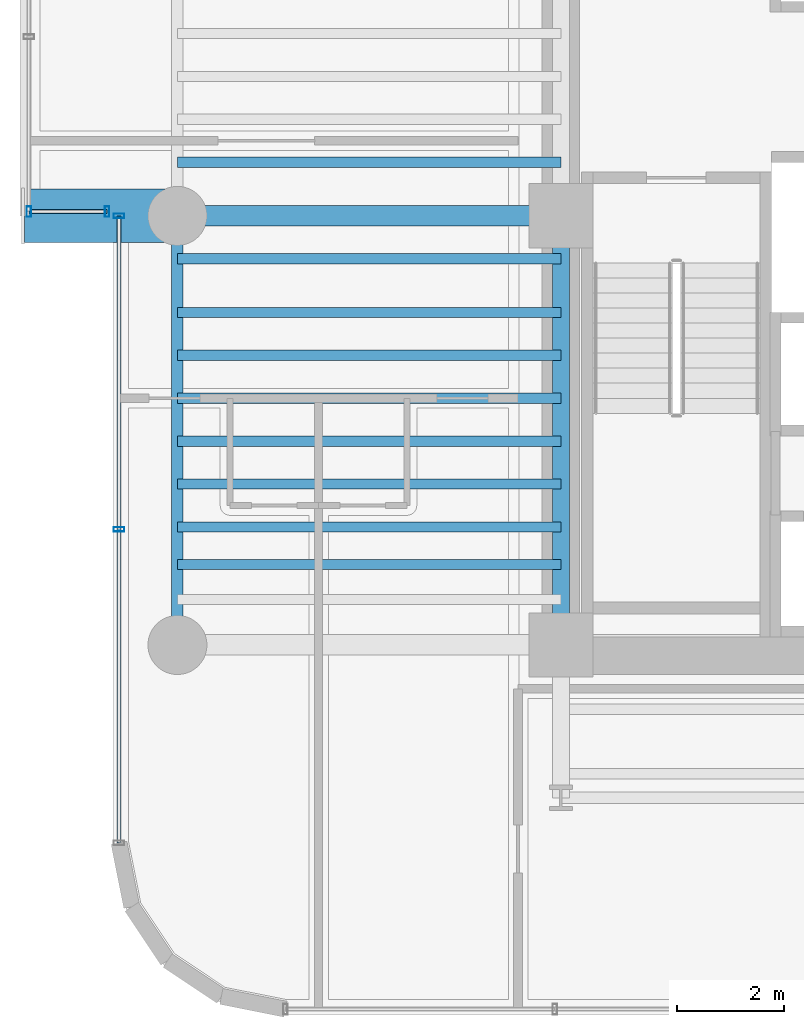
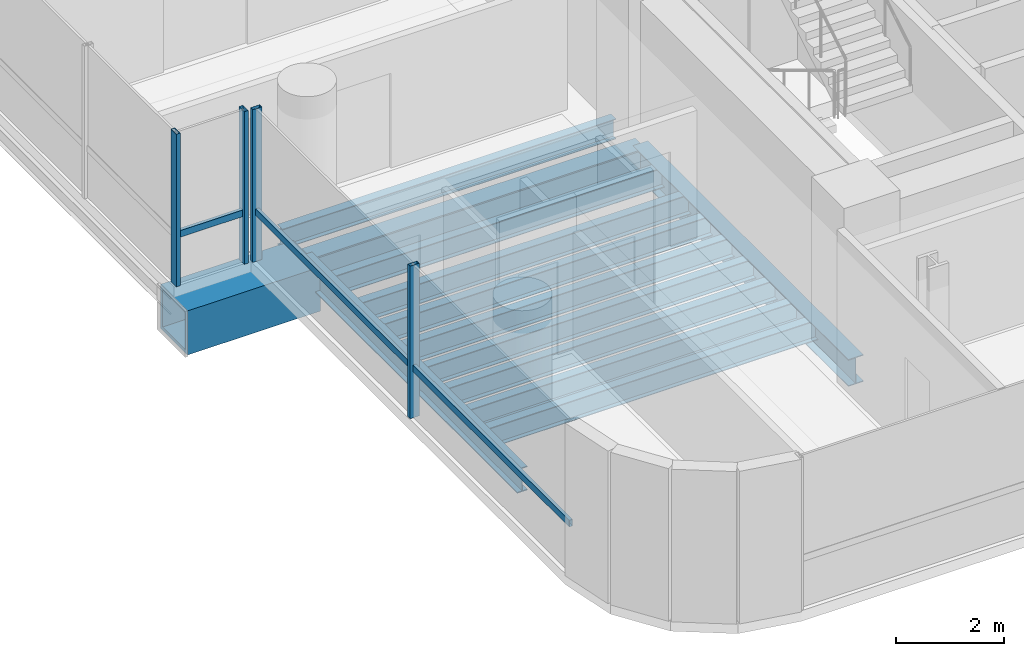
# One storey, part 4 of 35: 13 beams, 6 members, 2 elements without a shape of their own.
"""IFC4 building model written with IfcOpenShell, lengths in metres."""

from ifc_helpers import new_model, si_unit, direction, frame, origin, origin_2d, place, context, subcontext, project, spatial, hollow_rectangle, i_section, extrude, source, transform, mapped, material, material_profile, profile_set, type_object, element, aggregate, save


model = new_model("IFC4")

# Units and contexts
model_context = context("Model", 3, precision=1e-05, world=origin(), true_north=direction((0.0, 1.0)))
body_context = subcontext(model_context, "Body", "Model", "MODEL_VIEW")
ifc_project = project(units=[si_unit("LENGTHUNIT", "METRE"), si_unit("AREAUNIT", "SQUARE_METRE"), si_unit("VOLUMEUNIT", "CUBIC_METRE"), si_unit("PLANEANGLEUNIT", "RADIAN"), si_unit("MASSUNIT", "GRAM", prefix="KILO")], contexts=[model_context])

# Site, building, storey
site_placement = place(None, origin())
site = spatial("IfcSite", under=ifc_project, at=site_placement, CompositionType="ELEMENT")
building_placement = place(site_placement, origin())
building = spatial("IfcBuilding", under=site, at=building_placement, Name="Valdorenza Pilgrim Sanctuary Tower", CompositionType="ELEMENT")
storey_placement = place(building_placement, frame((0.0, 0.0, 139.0)))
storey = spatial("IfcBuildingStorey", under=building, at=storey_placement, Name="L35", CompositionType="ELEMENT", Elevation=139.0)

# Beams
ifc_material_1 = material(Name="Steel ASTM A992 Grade 50", Category="steel")
ifc_material_profile_1 = material_profile(ifc_material_1, i_section(OverallWidth=0.214111328125, OverallDepth=0.549072265625, WebThickness=0.0146484375, FlangeThickness=0.023681640625, at=origin_2d()), Name="W21X93")
ifc_profile_set_1 = profile_set([ifc_material_profile_1], Name="Steel ASTM A992 Grade 50")
beam_type_1 = type_object("IfcBeamType", Name="STR-BM-SPN-W21A", PredefinedType="SPANDREL", material=ifc_profile_set_1)
shared_shape_1 = source(origin(), body_context, "Body", "SweptSolid", [
    extrude(i_section(OverallWidth=0.214111328125, OverallDepth=0.549072265625, WebThickness=0.0146484375, FlangeThickness=0.023681640625, at=origin_2d()), origin(), (0.0, 0.0, 1.0), 8.0),
])
beam_1_placement = place(storey_placement, frame((-29.800048828125, -10.60009765625, -0.514404296875), z_axis=(0.0, 1.0, 0.0), x_axis=(-1.0, 0.0, 0.0)))
element("IfcBeam", 1, at=beam_1_placement, inside=storey, type_object=beam_type_1, Name="L35 Spandrel Beam WA-W-S1M0", PredefinedType="SPANDREL", context=body_context, shape_type="MappedRepresentation", body=[
    mapped(shared_shape_1, transform((0.0, 0.0, 0.0), x_axis=(1.0, 0.0, 0.0), y_axis=(0.0, 1.0, 0.0), z_axis=(0.0, 0.0, 1.0), scale=1.0)),
])
ifc_material_profile_2 = material_profile(ifc_material_1, i_section(OverallWidth=0.323974609375, OverallDepth=0.611083984375, WebThickness=0.0126953125, FlangeThickness=0.01904296875, at=origin_2d()), Name="W24X104")
ifc_profile_set_2 = profile_set([ifc_material_profile_2], Name="Steel ASTM A992 Grade 50")
beam_type_2 = type_object("IfcBeamType", Name="STR-BM-GRD-W24B", PredefinedType="BEAM", material=ifc_profile_set_2)
shared_shape_2 = source(origin(), body_context, "Body", "SweptSolid", [
    extrude(i_section(OverallWidth=0.323974609375, OverallDepth=0.611083984375, WebThickness=0.0126953125, FlangeThickness=0.01904296875, at=origin_2d()), origin(), (0.0, 0.0, 1.0), 8.0),
])
beam_2_placement = place(storey_placement, frame((-22.64990234375, -10.60009765625, -0.54541015625), z_axis=(0.0, 1.0, 0.0), x_axis=(-1.0, 0.0, 0.0)))
element("IfcBeam", 2, at=beam_2_placement, inside=storey, type_object=beam_type_2, Name="L35 Core Tie Girder CA-W-S1M0", PredefinedType="BEAM", context=body_context, shape_type="MappedRepresentation", body=[
    mapped(shared_shape_2, transform((0.0, 0.0, 0.0), x_axis=(1.0, 0.0, 0.0), y_axis=(0.0, 1.0, 0.0), z_axis=(0.0, 0.0, 1.0), scale=1.0)),
])
ifc_material_profile_3 = material_profile(ifc_material_1, i_section(OverallWidth=0.382080078125, OverallDepth=0.779052734375, WebThickness=0.01806640625, FlangeThickness=0.030029296875, at=origin_2d()), Name="W30X191")
ifc_profile_set_3 = profile_set([ifc_material_profile_3], Name="Steel ASTM A992 Grade 50")
beam_type_3 = type_object("IfcBeamType", Name="STR-BM-GRD-W30", PredefinedType="BEAM", material=ifc_profile_set_3)
shared_shape_3 = source(origin(), body_context, "Body", "SweptSolid", [
    extrude(i_section(OverallWidth=0.382080078125, OverallDepth=0.779052734375, WebThickness=0.01806640625, FlangeThickness=0.030029296875, at=origin_2d()), origin(), (0.0, 0.0, 1.0), 7.150146484375),
])
beam_3_placement = place(storey_placement, frame((-29.800048828125, -2.60009765625, -0.62939453125), z_axis=(1.0, 0.0, 0.0), x_axis=(0.0, 1.0, 0.0)))
element("IfcBeam", 3, at=beam_3_placement, inside=storey, type_object=beam_type_3, Name="L35 Floor Girder WA-XW-M0", PredefinedType="BEAM", context=body_context, shape_type="MappedRepresentation", body=[
    mapped(shared_shape_3, transform((0.0, 0.0, 0.0), x_axis=(1.0, 0.0, 0.0), y_axis=(0.0, 1.0, 0.0), z_axis=(0.0, 0.0, 1.0), scale=1.0)),
])
ifc_material_profile_4 = material_profile(ifc_material_1, i_section(OverallWidth=0.19091796875, OverallDepth=0.45703125, WebThickness=0.009033203125, FlangeThickness=0.014404296875, at=origin_2d()), Name="W18X50")
ifc_profile_set_4 = profile_set([ifc_material_profile_4], Name="Steel ASTM A992 Grade 50")
beam_type_4 = type_object("IfcBeamType", Name="STR-BM-JST-W18B", PredefinedType="JOIST", material=ifc_profile_set_4)
shared_shape_4 = source(origin(), body_context, "Body", "SweptSolid", [
    extrude(i_section(OverallWidth=0.19091796875, OverallDepth=0.45703125, WebThickness=0.009033203125, FlangeThickness=0.014404296875, at=origin_2d()), origin(), (0.0, 0.0, 1.0), 7.150146484375),
])
for number, where, z_axis, x_axis, name in (
    (4, (-29.800048828125, -9.10009765625, -0.468505859375), (1.0, 0.0, 0.0), (0.0, 1.0, 0.0), "L35 Composite Floor Joist JST-WA-2"),
    (5, (-29.800048828125, -8.39990234375, -0.468505859375), (1.0, 0.0, 0.0), (0.0, 1.0, 0.0), "L35 Composite Floor Joist JST-WA-3"),
    (6, (-29.800048828125, -7.60009765625, -0.468505859375), (1.0, 0.0, 0.0), (0.0, 1.0, 0.0), "L35 Composite Floor Joist JST-WA-4"),
    (7, (-29.800048828125, -6.800048828125, -0.468505859375), (1.0, 0.0, 0.0), (0.0, 1.0, 0.0), "L35 Composite Floor Joist JST-WA-5"),
    (8, (-29.800048828125, -6.0, -0.468505859375), (1.0, 0.0, 0.0), (0.0, 1.0, 0.0), "L35 Composite Floor Joist JST-WA-6"),
    (9, (-29.800048828125, -5.199951171875, -0.468505859375), (1.0, 0.0, 0.0), (0.0, 1.0, 0.0), "L35 Composite Floor Joist JST-WA-7"),
    (10, (-29.800048828125, -4.39990234375, -0.468505859375), (1.0, 0.0, 0.0), (0.0, 1.0, 0.0), "L35 Composite Floor Joist JST-WA-8"),
    (11, (-29.800048828125, -3.39990234375, -0.468505859375), (1.0, 0.0, 0.0), (0.0, 1.0, 0.0), "L35 Composite Floor Joist JST-WA-9"),
    (12, (-29.800048828125, -1.60009765625, -0.468505859375), (1.0, 0.0, 0.0), (0.0, 1.0, 0.0), "L35 Composite Floor Joist JST-WA-10"),
):
    element("IfcBeam", number, at=place(storey_placement, frame(where, z_axis=z_axis, x_axis=x_axis)), inside=storey, type_object=beam_type_4, Name=name, PredefinedType="JOIST", context=body_context, shape_type="MappedRepresentation", body=[
        mapped(shared_shape_4, transform((0.0, 0.0, 0.0), x_axis=(1.0, 0.0, 0.0), y_axis=(0.0, 1.0, 0.0), z_axis=(0.0, 0.0, 1.0), scale=1.0)),
    ])
ifc_material_2 = material(Name="Steel ASTM A572 Grade 42", Category="steel")
ifc_material_profile_5 = material_profile(ifc_material_2, hollow_rectangle(XDim=1.0, YDim=1.0, WallThickness=0.080078125, at=origin_2d()), Name="BOX 1000x1000x80")
ifc_profile_set_5 = profile_set([ifc_material_profile_5], Name="Steel ASTM A572 Grade 42")
beam_type_5 = type_object("IfcBeamType", Name="STR-BM-PROW-CANT", PredefinedType="BEAM", material=ifc_profile_set_5)
shared_shape_5 = source(origin(), body_context, "Body", "SweptSolid", [
    extrude(hollow_rectangle(XDim=1.0, YDim=1.0, WallThickness=0.080078125, at=origin_2d()), origin(), (0.0, 0.0, 1.0), 2.849853515625),
])
beam_4_placement = place(storey_placement, frame((-29.800048828125, -2.60009765625, -0.739990234375), z_axis=(-1.0, 0.0, 0.0), x_axis=(0.0, -1.0, 0.0)))
element("IfcBeam", 13, at=beam_4_placement, inside=storey, type_object=beam_type_5, Name="L35 Glass Box Cantilever Beam BOX-WA-L35-CT-S", PredefinedType="BEAM", context=body_context, shape_type="MappedRepresentation", body=[
    mapped(shared_shape_5, transform((0.0, 0.0, 0.0), x_axis=(1.0, 0.0, 0.0), y_axis=(0.0, 1.0, 0.0), z_axis=(0.0, 0.0, 1.0), scale=1.0)),
])

# Curtain wall, members
ifc_material_3 = material(Name="Curtain-wall IGU glazing", Category="glass")
curtain_wall_type = type_object("IfcCurtainWallType", Name="CW-SYS-02", PredefinedType="NOTDEFINED", material=ifc_material_3)
curtain_wall_1_placement = place(storey_placement, origin())
curtain_wall_1 = element("IfcCurtainWall", 14, at=curtain_wall_1_placement, inside=storey, type_object=curtain_wall_type, Name="L35 Curtain Wall CW-L35-1-1S1", PredefinedType="NOTDEFINED")
ifc_material_4 = material(Name="Anodised aluminium AW-6060", Category="aluminium")
ifc_material_profile_6 = material_profile(ifc_material_4, hollow_rectangle(XDim=0.0849609375, YDim=0.199951171875, WallThickness=0.0048828125, at=origin_2d()), Name="ALU-M 200x85x5")
ifc_profile_set_6 = profile_set([ifc_material_profile_6], Name="Anodised aluminium AW-6060")
member_type_1 = type_object("IfcMemberType", Name="CW-MUL-02", PredefinedType="MULLION", material=ifc_profile_set_6)
shared_shape_6 = source(origin(), body_context, "Body", "SweptSolid", [
    extrude(hollow_rectangle(XDim=0.0849609375, YDim=0.199951171875, WallThickness=0.0048828125, at=origin_2d()), origin(), (0.0, 0.0, 1.0), 3.4599609375),
])
member_1_placement = place(storey_placement, frame((-30.889892578125, -8.444580078125, 0.0), z_axis=(0.0, 0.0, 1.0), x_axis=(0.0, 1.0, 0.0)))
member_1 = element("IfcMember", 15, at=member_1_placement, type_object=member_type_1, Name="CW-L35-1-1S1 Mullion 2", PredefinedType="MULLION", context=body_context, shape_type="MappedRepresentation", body=[
    mapped(shared_shape_6, transform((0.0, 0.0, 0.0), x_axis=(1.0, 0.0, 0.0), y_axis=(0.0, 1.0, 0.0), z_axis=(0.0, 0.0, 1.0), scale=1.0)),
])
member_2_placement = place(storey_placement, frame((-30.889892578125, -2.60009765625, 0.0), z_axis=(0.0, 0.0, 1.0), x_axis=(0.0, 1.0, 0.0)))
member_2 = element("IfcMember", 16, at=member_2_placement, type_object=member_type_1, Name="CW-L35-1-1S1 Mullion 3", PredefinedType="MULLION", context=body_context, shape_type="MappedRepresentation", body=[
    mapped(shared_shape_6, transform((0.0, 0.0, 0.0), x_axis=(1.0, 0.0, 0.0), y_axis=(0.0, 1.0, 0.0), z_axis=(0.0, 0.0, 1.0), scale=1.0)),
])

curtain_wall_2_placement = place(storey_placement, origin())
curtain_wall_2 = element("IfcCurtainWall", 17, at=curtain_wall_2_placement, inside=storey, type_object=curtain_wall_type, Name="L35 Curtain Wall CW-L35-BOX-WA-L35-S", PredefinedType="NOTDEFINED")
member_3_placement = place(storey_placement, frame((-31.110107421875, -2.52001953125, 0.0), z_axis=(0.0, 0.0, 1.0), x_axis=(-1.0, 0.0, 0.0)))
member_3 = element("IfcMember", 18, at=member_3_placement, type_object=member_type_1, Name="CW-L35-BOX-WA-L35-S Mullion 1", PredefinedType="MULLION", context=body_context, shape_type="MappedRepresentation", body=[
    mapped(shared_shape_6, transform((0.0, 0.0, 0.0), x_axis=(1.0, 0.0, 0.0), y_axis=(0.0, 1.0, 0.0), z_axis=(0.0, 0.0, 1.0), scale=1.0)),
])
member_4_placement = place(storey_placement, frame((-32.570068359375, -2.52001953125, 0.0), z_axis=(0.0, 0.0, 1.0), x_axis=(-1.0, 0.0, 0.0)))
member_4 = element("IfcMember", 19, at=member_4_placement, type_object=member_type_1, Name="CW-L35-BOX-WA-L35-S Mullion 2", PredefinedType="MULLION", context=body_context, shape_type="MappedRepresentation", body=[
    mapped(shared_shape_6, transform((0.0, 0.0, 0.0), x_axis=(1.0, 0.0, 0.0), y_axis=(0.0, 1.0, 0.0), z_axis=(0.0, 0.0, 1.0), scale=1.0)),
])
ifc_material_profile_7 = material_profile(ifc_material_4, hollow_rectangle(XDim=0.074951171875, YDim=0.14990234375, WallThickness=0.00390625, at=origin_2d()), Name="ALU-T 150x75x4")
ifc_profile_set_7 = profile_set([ifc_material_profile_7], Name="Anodised aluminium AW-6060")
member_type_2 = type_object("IfcMemberType", Name="CW-TRN-02", PredefinedType="USERDEFINED", material=ifc_profile_set_7)
shared_shape_7 = source(origin(), body_context, "Body", "SweptSolid", [
    extrude(hollow_rectangle(XDim=0.074951171875, YDim=0.14990234375, WallThickness=0.00390625, at=origin_2d()), origin(), (0.0, 0.0, 1.0), 1.4599609375),
])
member_5_placement = place(storey_placement, frame((-31.110107421875, -2.52001953125, 1.1201171875), z_axis=(-1.0, 0.0, 0.0), x_axis=(0.0, -1.0, 0.0)))
member_5 = element("IfcMember", 20, at=member_5_placement, type_object=member_type_2, Name="CW-L35-BOX-WA-L35-S Transom 1", ObjectType="TRANSOM", PredefinedType="USERDEFINED", context=body_context, shape_type="MappedRepresentation", body=[
    mapped(shared_shape_7, transform((0.0, 0.0, 0.0), x_axis=(1.0, 0.0, 0.0), y_axis=(0.0, 1.0, 0.0), z_axis=(0.0, 0.0, 1.0), scale=1.0)),
])
aggregate(curtain_wall_2, [member_3, member_4, member_5])

# Member
shared_shape_8 = source(origin(), body_context, "Body", "SweptSolid", [
    extrude(hollow_rectangle(XDim=0.074951171875, YDim=0.14990234375, WallThickness=0.00390625, at=origin_2d()), origin(), (0.0, 0.0, 1.0), 11.689208984375),
])
member_6_placement = place(storey_placement, frame((-30.889892578125, -14.289306640625, 1.1201171875), z_axis=(0.0, 1.0, 0.0), x_axis=(-1.0, 0.0, 0.0)))
member_6 = element("IfcMember", 21, at=member_6_placement, type_object=member_type_2, Name="CW-L35-1-1S1 Transom 1", ObjectType="TRANSOM", PredefinedType="USERDEFINED", context=body_context, shape_type="MappedRepresentation", body=[
    mapped(shared_shape_8, transform((0.0, 0.0, 0.0), x_axis=(1.0, 0.0, 0.0), y_axis=(0.0, 1.0, 0.0), z_axis=(0.0, 0.0, 1.0), scale=1.0)),
])

aggregate(curtain_wall_1, [member_1, member_2, member_6])

save(model, "model.ifc")
